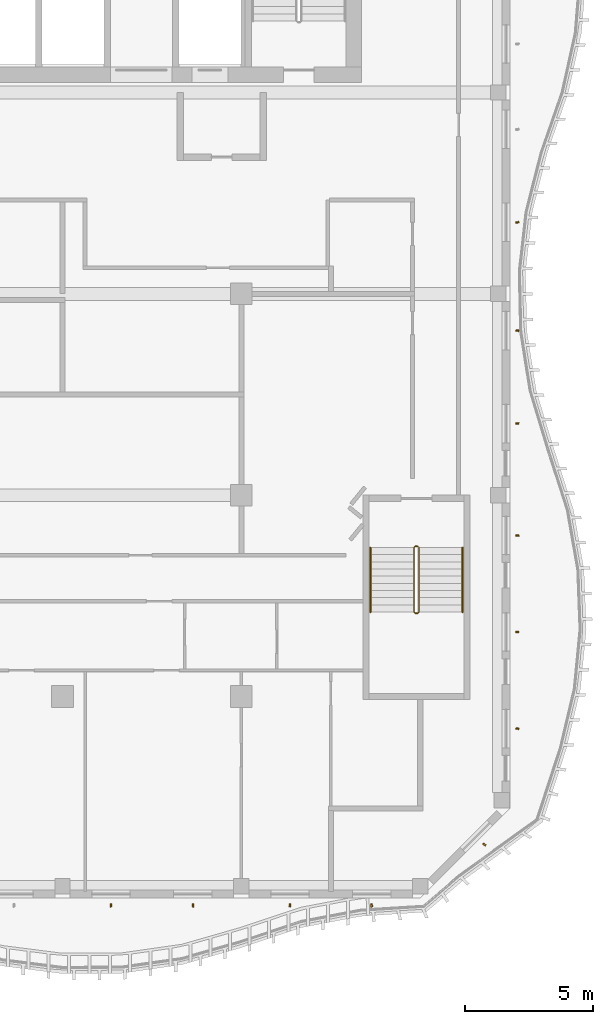
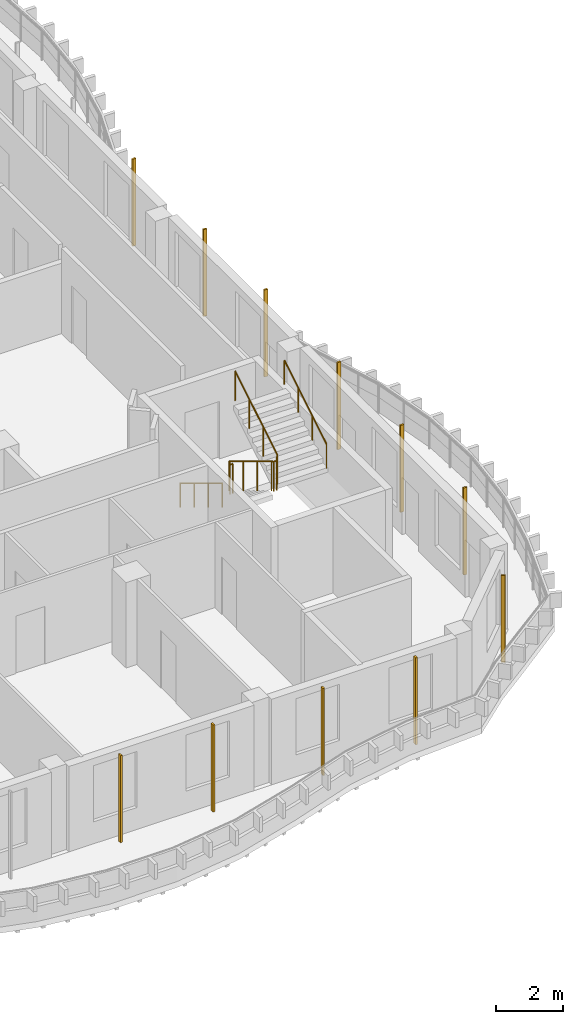
# One storey, part 14 of 17: 11 shading devices, 3 railings.
"""IFC4 building model written with IfcOpenShell, lengths in metres."""

from ifc_helpers import new_model, si_unit, direction, frame, origin, origin_2d, place, context, subcontext, project, spatial, rectangle, circle, extrude, source, transform, mapped, material, material_profile, profile_set, type_object, element, save


model = new_model("IFC4")

# Units and contexts
model_context = context("Model", 3, precision=1e-05, world=origin(), true_north=direction((0.0, 1.0)))
body_context = subcontext(model_context, "Body", "Model", "MODEL_VIEW")
ifc_project = project(units=[si_unit("LENGTHUNIT", "METRE"), si_unit("AREAUNIT", "SQUARE_METRE"), si_unit("VOLUMEUNIT", "CUBIC_METRE"), si_unit("PLANEANGLEUNIT", "RADIAN"), si_unit("MASSUNIT", "GRAM", prefix="KILO")], contexts=[model_context])

# Site, building, storey
site_placement = place(None, origin())
site = spatial("IfcSite", under=ifc_project, at=site_placement, CompositionType="ELEMENT")
building_placement = place(site_placement, origin())
building = spatial("IfcBuilding", under=site, at=building_placement, Name="Kilnfold Tower and Market Hall", CompositionType="ELEMENT")
storey_placement = place(building_placement, frame((0.0, 0.0, 298.39990234375)))
storey = spatial("IfcBuildingStorey", under=building, at=storey_placement, Name="L74", CompositionType="ELEMENT", Elevation=298.39990234375)

# Railings
ifc_material_1 = material(Name="Stainless steel 316", Category="steel")
railing_type_1 = type_object("IfcRailingType", Name="CORE STAIR GUARD 1100", PredefinedType="GUARDRAIL", material=ifc_material_1)
railing_1_placement = place(storey_placement, frame((19.89990234375, -9.75, 0.0)))
element("IfcRailing", 1, at=railing_1_placement, inside=storey, type_object=railing_type_1, Name="L74 ST4 stair guard 1", PredefinedType="GUARDRAIL", context=body_context, shape_type="SweptSolid", body=[
    extrude(circle(Radius=0.02392578125, at=origin_2d()), frame((0.0, 0.0, 1.076171875), z_axis=(-1.0, 0.0, 0.0), x_axis=(0.0, -1.0, 0.0)), (0.0, 0.0, 1.0), 0.099853515625),
    extrude(circle(Radius=0.02392578125, at=origin_2d()), frame((-0.099853515625, 0.0, 1.076171875), z_axis=(-0.271562723297, -0.271562723297, 0.923313259209), x_axis=(0.707106781187, -0.707106781187, 0.0)), (0.0, 0.0, 1.0), 0.184326171875),
    extrude(circle(Radius=0.02392578125, at=origin_2d()), frame((-0.14990234375, -0.050048828125, 1.24609375), z_axis=(0.0, -0.85478489116, 0.518982456201), x_axis=(1.0, 0.0, 0.0)), (0.0, 0.0, 1.0), 2.9482421875),
    extrude(circle(Radius=0.02392578125, at=origin_2d()), frame((-0.14990234375, -2.570068359375, 2.7763671875), z_axis=(0.707106781187, -0.707106781187, 0.0), x_axis=(0.707106781187, 0.707106781187, 0.0)), (0.0, 0.0, 1.0), 0.07080078125),
    extrude(circle(Radius=0.02392578125, at=origin_2d()), frame((-0.099853515625, -2.6201171875, 2.7763671875), z_axis=(1.0, 0.0, 0.0), x_axis=(0.0, 1.0, 0.0)), (0.0, 0.0, 1.0), 0.099853515625),
    extrude(circle(Radius=0.02392578125, at=origin_2d()), frame((0.0, -2.6201171875, 2.7763671875), z_axis=(0.271895245746, 0.271895245746, 0.923117517265), x_axis=(-0.707106781187, 0.707106781187, 0.0)), (0.0, 0.0, 1.0), 0.18408203125),
    extrude(circle(Radius=0.02392578125, at=origin_2d()), frame((0.050048828125, -2.570068359375, 2.9462890625), z_axis=(0.0, 0.85478489116, 0.518982456201), x_axis=(-1.0, 0.0, 0.0)), (0.0, 0.0, 1.0), 2.9482421875),
    extrude(circle(Radius=0.02099609375, at=origin_2d()), origin(), (0.0, 0.0, 1.0), 1.052001953125),
    extrude(circle(Radius=0.02099609375, at=origin_2d()), frame((-0.099853515625, 0.0, 0.0)), (0.0, 0.0, 1.0), 1.052001953125),
    extrude(circle(Radius=0.02099609375, at=origin_2d()), frame((-0.14990234375, -0.050048828125, 0.170166015625)), (0.0, 0.0, 1.0), 1.052001953125),
    extrude(circle(Radius=0.02099609375, at=origin_2d()), frame((-0.14990234375, -0.89013671875, 0.68017578125)), (0.0, 0.0, 1.0), 1.052001953125),
    extrude(circle(Radius=0.02099609375, at=origin_2d()), frame((-0.14990234375, -1.72998046875, 1.190185546875)), (0.0, 0.0, 1.0), 1.052001953125),
    extrude(circle(Radius=0.02099609375, at=origin_2d()), frame((-0.14990234375, -2.570068359375, 1.7001953125)), (0.0, 0.0, 1.0), 1.052001953125),
    extrude(circle(Radius=0.02099609375, at=origin_2d()), frame((-0.099853515625, -2.6201171875, 1.7001953125)), (0.0, 0.0, 1.0), 1.052001953125),
    extrude(circle(Radius=0.02099609375, at=origin_2d()), frame((0.0, -2.6201171875, 1.7001953125)), (0.0, 0.0, 1.0), 1.052001953125),
    extrude(circle(Radius=0.02099609375, at=origin_2d()), frame((0.050048828125, -2.570068359375, 1.8701171875)), (0.0, 0.0, 1.0), 1.052001953125),
    extrude(circle(Radius=0.02099609375, at=origin_2d()), frame((0.050048828125, -1.72998046875, 2.380126953125)), (0.0, 0.0, 1.0), 1.052001953125),
    extrude(circle(Radius=0.02099609375, at=origin_2d()), frame((0.050048828125, -0.89013671875, 2.89013671875)), (0.0, 0.0, 1.0), 1.052001953125),
    extrude(circle(Radius=0.02099609375, at=origin_2d()), frame((0.050048828125, -0.050048828125, 3.400146484375)), (0.0, 0.0, 1.0), 1.052001953125),
])
ifc_material_2 = material(Name="Stainless steel 316", Category="steel")
railing_type_2 = type_object("IfcRailingType", Name="CORE STAIR HANDRAIL 900", PredefinedType="HANDRAIL", material=ifc_material_2)
railing_2_placement = place(storey_placement, frame((18.050048828125, -9.800048828125, 0.170166015625)))
element("IfcRailing", 2, at=railing_2_placement, inside=storey, type_object=railing_type_2, Name="L74 ST4 stair handrail 1", PredefinedType="HANDRAIL", context=body_context, shape_type="SweptSolid", body=[
    extrude(circle(Radius=0.02392578125, at=origin_2d()), frame((0.0, 0.0, 0.8759765625), z_axis=(0.0, -0.85478489116, 0.518982456201), x_axis=(1.0, 0.0, 0.0)), (0.0, 0.0, 1.0), 2.9482421875),
    extrude(circle(Radius=0.02099609375, at=origin_2d()), origin(), (0.0, 0.0, 1.0), 0.851806640625),
    extrude(circle(Radius=0.02099609375, at=origin_2d()), frame((0.0, -0.840087890625, 0.510009765625)), (0.0, 0.0, 1.0), 0.851806640625),
    extrude(circle(Radius=0.02099609375, at=origin_2d()), frame((0.0, -1.679931640625, 1.02001953125)), (0.0, 0.0, 1.0), 0.851806640625),
    extrude(circle(Radius=0.02099609375, at=origin_2d()), frame((0.0, -2.52001953125, 1.530029296875)), (0.0, 0.0, 1.0), 0.851806640625),
])
railing_3_placement = place(storey_placement, frame((21.64990234375, -12.320068359375, 1.8701171875)))
element("IfcRailing", 3, at=railing_3_placement, inside=storey, type_object=railing_type_2, Name="L74 ST4 stair handrail 2", PredefinedType="HANDRAIL", context=body_context, shape_type="SweptSolid", body=[
    extrude(circle(Radius=0.02392578125, at=origin_2d()), frame((0.0, 0.0, 0.8759765625), z_axis=(0.0, 0.85478489116, 0.518982456201), x_axis=(-1.0, 0.0, 0.0)), (0.0, 0.0, 1.0), 2.9482421875),
    extrude(circle(Radius=0.02099609375, at=origin_2d()), origin(), (0.0, 0.0, 1.0), 0.851806640625),
    extrude(circle(Radius=0.02099609375, at=origin_2d()), frame((0.0, 0.840087890625, 0.510009765625)), (0.0, 0.0, 1.0), 0.851806640625),
    extrude(circle(Radius=0.02099609375, at=origin_2d()), frame((0.0, 1.679931640625, 1.02001953125)), (0.0, 0.0, 1.0), 0.851806640625),
    extrude(circle(Radius=0.02099609375, at=origin_2d()), frame((0.0, 2.52001953125, 1.530029296875)), (0.0, 0.0, 1.0), 0.851806640625),
])

# Shading devices
ifc_material_3 = material(Name="Terracotta", Category="masonry")
ifc_material_profile = material_profile(ifc_material_3, rectangle(XDim=0.06005859375, YDim=0.1201171875, at=origin_2d()), Name="BAG 60x120")
ifc_profile_set = profile_set([ifc_material_profile], Name="Terracotta")
shading_device_type = type_object("IfcShadingDeviceType", Name="BAGUETTE", PredefinedType="USERDEFINED", material=ifc_profile_set)
shared_shape = source(origin(), body_context, "Body", "SweptSolid", [
    extrude(rectangle(XDim=0.06005859375, YDim=0.1201171875, at=origin_2d()), origin(), (0.0, 0.0, 1.0), 3.18017578125),
])
for number, where, z_axis, x_axis, name in (
    (4, (7.89990234375, -23.800048828125, 0.0), (0.0, 0.0, 1.0), (0.99069755656, 0.136082149547, 0.0), "Terracotta baguette L74 S"),
    (5, (11.10009765625, -23.800048828125, 0.0), (0.0, 0.0, 1.0), (0.999942037103, -0.010766728127, 0.0), "Terracotta baguette L74 S"),
    (6, (14.89990234375, -23.800048828125, 0.0), (0.0, 0.0, 1.0), (0.99069755656, -0.136082149547, 0.0), "Terracotta baguette L74 S"),
    (7, (18.10009765625, -23.800048828125, 0.0), (0.0, 0.0, 1.0), (0.999942037103, 0.010766728127, 0.0), "Terracotta baguette L74 S"),
    (8, (22.5048828125, -21.419189453125, 0.0), (0.0, 0.0, 1.0), (0.636202112061, 0.771522438176, 0.0), "Terracotta baguette L74 SE"),
    (9, (23.800048828125, -16.8818359375, 0.0), (0.0, 0.0, 1.0), (0.137371937532, 0.990519535789, 0.0), "Terracotta baguette L74 E"),
    (10, (23.800048828125, -13.1044921875, 0.0), (0.0, 0.0, 1.0), (0.005183604664, 0.999986565031, 0.0), "Terracotta baguette L74 E"),
    (11, (23.800048828125, -9.327392578125, 0.0), (0.0, 0.0, 1.0), (-0.138647664871, 0.990341771827, 0.0), "Terracotta baguette L74 E"),
    (12, (23.800048828125, -4.949951171875, 0.0), (0.0, 0.0, 1.0), (0.064554950224, 0.997914153824, 0.0), "Terracotta baguette L74 E"),
    (13, (23.800048828125, -1.3125, 0.0), (0.0, 0.0, 1.0), (0.119279113335, 0.992860762203, 0.0), "Terracotta baguette L74 E"),
    (14, (23.800048828125, 2.925048828125, 0.0), (0.0, 0.0, 1.0), (-0.106848898594, 0.994275270169, 0.0), "Terracotta baguette L74 E"),
):
    element("IfcShadingDevice", number, at=place(storey_placement, frame(where, z_axis=z_axis, x_axis=x_axis)), inside=storey, type_object=shading_device_type, Name=name, ObjectType="BAGUETTE", PredefinedType="USERDEFINED", context=body_context, shape_type="MappedRepresentation", body=[
        mapped(shared_shape, transform((0.0, 0.0, 0.0))),
    ])

save(model, "model.ifc")
